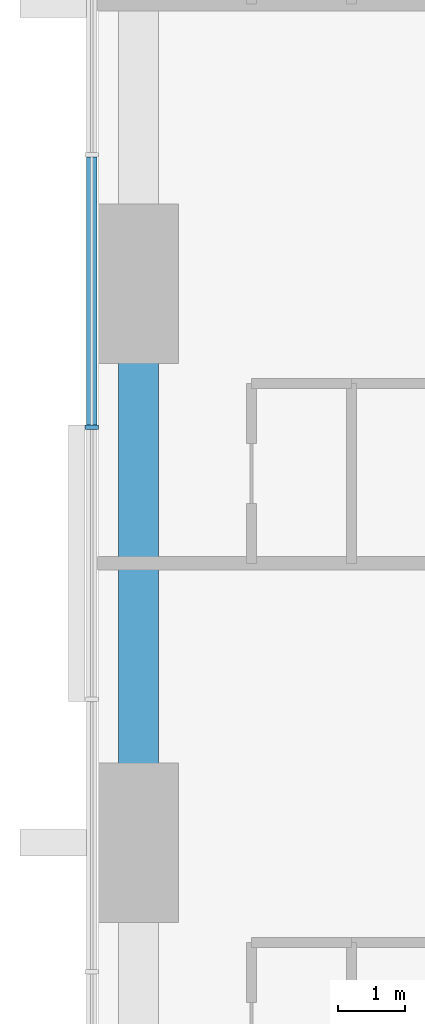
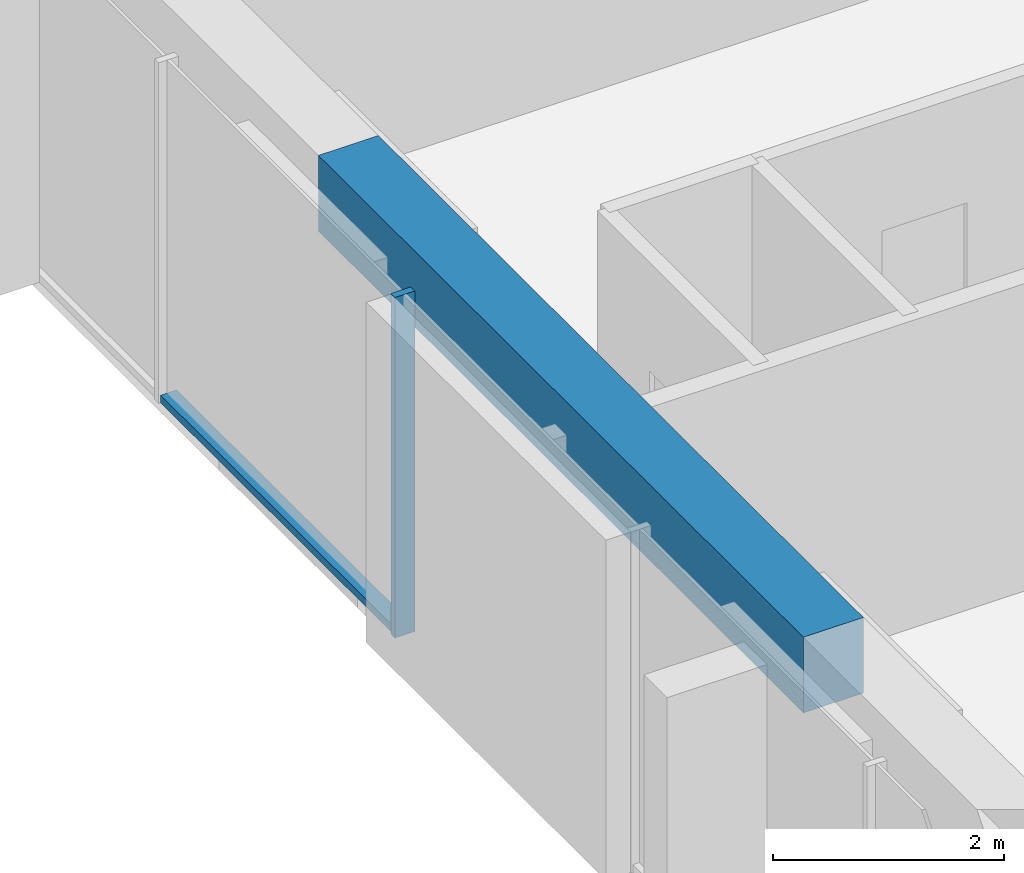
# One storey, part 3 of 14: 2 members, 1 beam, 1 element without a shape of its own.
"""IFC4 building model written with IfcOpenShell, lengths in metres."""

from ifc_helpers import new_model, si_unit, direction, frame, origin, origin_2d, place, context, subcontext, project, spatial, rectangle, extrude, material, material_profile, profile_set, type_object, element, aggregate, save


model = new_model("IFC4")

# Units and contexts
model_context = context("Model", 3, precision=1e-05, world=origin(), true_north=direction((0.0, 1.0)))
body_context = subcontext(model_context, "Body", "Model", "MODEL_VIEW")
ifc_project = project(units=[si_unit("LENGTHUNIT", "METRE"), si_unit("AREAUNIT", "SQUARE_METRE"), si_unit("VOLUMEUNIT", "CUBIC_METRE"), si_unit("PLANEANGLEUNIT", "RADIAN"), si_unit("MASSUNIT", "GRAM", prefix="KILO")], contexts=[model_context])

# Site, building, storey
site_placement = place(None, origin())
site = spatial("IfcSite", under=ifc_project, at=site_placement, CompositionType="ELEMENT")
building_placement = place(site_placement, origin())
building = spatial("IfcBuilding", under=site, at=building_placement, Name="Dunama Terrace Hotel", CompositionType="ELEMENT")
storey_placement = place(building_placement, frame((0.0, 0.0, 213.0)))
storey = spatial("IfcBuildingStorey", under=building, at=storey_placement, Name="L55", CompositionType="ELEMENT", Elevation=213.0)

# Curtain wall, members
ifc_material_1 = material(Name="Aluminium curtain wall system", Category="aluminium")
curtain_wall_type = type_object("IfcCurtainWallType", Name="Unitised fritted glass wall CW-C", PredefinedType="NOTDEFINED", material=ifc_material_1)
curtain_wall_placement = place(storey_placement, origin())
curtain_wall = element("IfcCurtainWall", 1, at=curtain_wall_placement, inside=storey, type_object=curtain_wall_type, Name="Unitised fritted glass wall CW-C L55", PredefinedType="NOTDEFINED")
ifc_material_2 = material(Name="Aluminium mullion", Category="aluminium")
ifc_material_profile_1 = material_profile(ifc_material_2, rectangle(XDim=0.070068359375, YDim=0.199951171875, at=origin_2d()), Name="CWC MULLION 70X200")
ifc_profile_set_1 = profile_set([ifc_material_profile_1], Name="Aluminium mullion")
member_type_1 = type_object("IfcMemberType", Name="CWC mullion 70x200", PredefinedType="MULLION", material=ifc_profile_set_1)
member_1_placement = place(storey_placement, frame((4.10009765625, 31.445068359375, 0.0), z_axis=(0.0, 0.0, 1.0), x_axis=(0.0, -1.0, 0.0)))
member_1 = element("IfcMember", 2, at=member_1_placement, type_object=member_type_1, Name="CWC mullion", PredefinedType="MULLION", context=body_context, shape_type="SweptSolid", body=[
    extrude(rectangle(XDim=0.070068359375, YDim=0.199951171875, at=origin_2d()), origin(), (0.0, 0.0, 1.0), 3.60009765625),
])
ifc_material_3 = material(Name="Aluminium transom", Category="aluminium")
ifc_material_profile_2 = material_profile(ifc_material_3, rectangle(XDim=0.159912109375, YDim=0.080078125, at=origin_2d()), Name="CWC TRANSOM 160X80")
ifc_profile_set_2 = profile_set([ifc_material_profile_2], Name="Aluminium transom")
member_type_2 = type_object("IfcMemberType", Name="CWC transom 160x80", PredefinedType="USERDEFINED", material=ifc_profile_set_2)
member_2_placement = place(storey_placement, frame((4.10009765625, 35.5009765625, 0.0400390625), z_axis=(0.0, -1.0, 0.0), x_axis=(1.0, 0.0, 0.0)))
member_2 = element("IfcMember", 3, at=member_2_placement, type_object=member_type_2, Name="CWC transom", ObjectType="TRANSOM", PredefinedType="USERDEFINED", context=body_context, shape_type="SweptSolid", body=[
    extrude(rectangle(XDim=0.159912109375, YDim=0.080078125, at=origin_2d()), origin(), (0.0, 0.0, 1.0), 4.02099609375),
])
aggregate(curtain_wall, [member_1, member_2])

# Beam
ifc_material_4 = material(Name="Concrete C40/50", Category="concrete")
ifc_material_profile_3 = material_profile(ifc_material_4, rectangle(XDim=0.60009765625, YDim=0.800048828125, at=origin_2d()), Name="RC 600x800")
ifc_profile_set_3 = profile_set([ifc_material_profile_3], Name="Concrete C40/50")
beam_type = type_object("IfcBeamType", Name="Edge beam RC 600x800", PredefinedType="SPANDREL", material=ifc_profile_set_3)
beam_placement = place(storey_placement, frame((4.800048828125, 25.199951171875, 3.199951171875), z_axis=(0.0, 1.0, 0.0), x_axis=(-1.0, 0.0, 0.0)))
element("IfcBeam", 4, at=beam_placement, inside=storey, type_object=beam_type, Name="Edge beam under L56", PredefinedType="SPANDREL", context=body_context, shape_type="SweptSolid", body=[
    extrude(rectangle(XDim=0.60009765625, YDim=0.800048828125, at=origin_2d()), origin(), (0.0, 0.0, 1.0), 8.400146484375),
])

save(model, "model.ifc")
